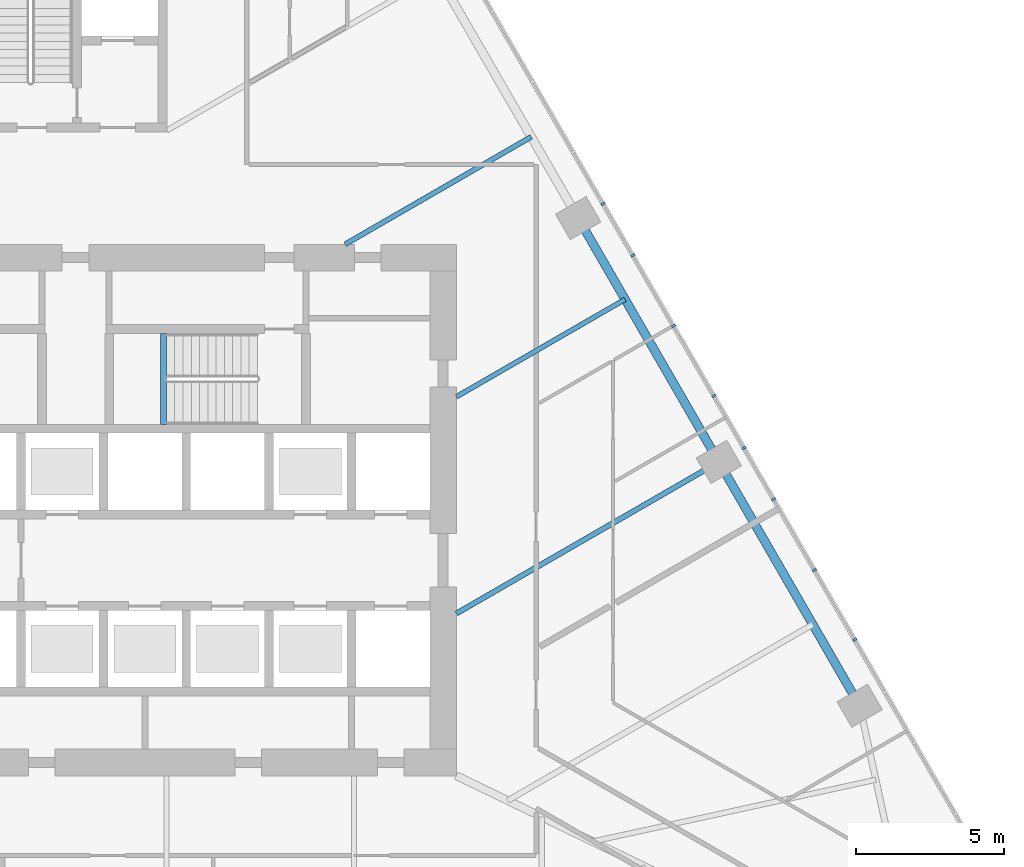
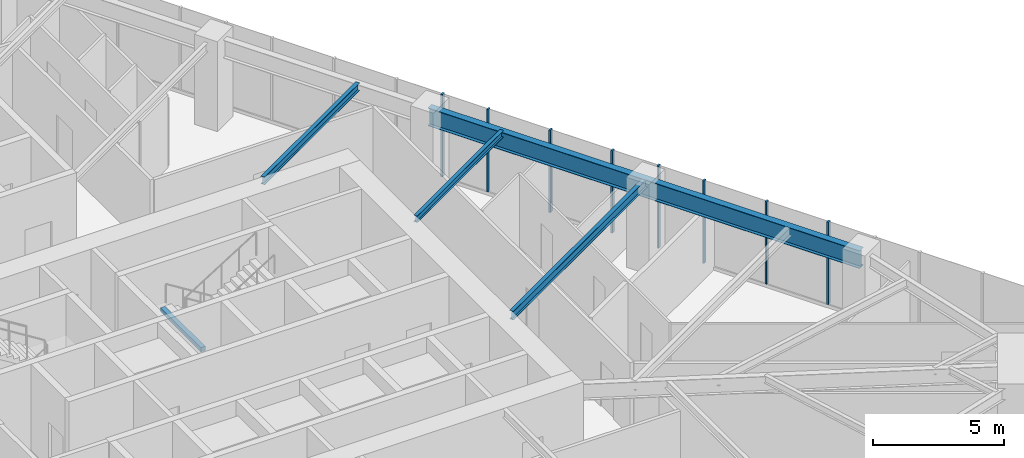
# One storey, part 8 of 25: 8 members, 5 beams, 1 element without a shape of its own.
"""IFC4 building model written with IfcOpenShell, lengths in metres."""

from ifc_helpers import new_model, si_unit, direction, frame, origin, origin_2d, place, context, subcontext, project, spatial, rectangle, i_section, extrude, material, layer, layer_set, material_profile, profile_set, type_object, element, aggregate, save


model = new_model("IFC4")

# Units and contexts
model_context = context("Model", 3, precision=1e-05, world=origin(), true_north=direction((0.0, 1.0)))
body_context = subcontext(model_context, "Body", "Model", "MODEL_VIEW")
ifc_project = project(units=[si_unit("LENGTHUNIT", "METRE"), si_unit("AREAUNIT", "SQUARE_METRE"), si_unit("VOLUMEUNIT", "CUBIC_METRE"), si_unit("PLANEANGLEUNIT", "RADIAN"), si_unit("MASSUNIT", "GRAM", prefix="KILO")], contexts=[model_context])

# Site, building, storey
site_placement = place(None, origin())
site = spatial("IfcSite", under=ifc_project, at=site_placement, CompositionType="ELEMENT")
building_placement = place(site_placement, origin())
building = spatial("IfcBuilding", under=site, at=building_placement, Name="Firuza Gate Tower and Library", CompositionType="ELEMENT")
storey_placement = place(building_placement, frame((0.0, 0.0, 61.0)))
storey = spatial("IfcBuildingStorey", under=building, at=storey_placement, Name="L13", CompositionType="ELEMENT", Elevation=61.0)

# Curtain wall, members
ifc_material_1 = material(Name="Aluminium 6063-T6", Category="aluminium")
ifc_layer = layer(ifc_material_1, 0.14990234375)
ifc_layer_set = layer_set([ifc_layer], Name="Unitised curtain wall, offices")
curtain_wall_type = type_object("IfcCurtainWallType", Name="Unitised curtain wall, offices", PredefinedType="NOTDEFINED", material=ifc_layer_set)
curtain_wall_placement = place(storey_placement, origin())
curtain_wall = element("IfcCurtainWall", 1, at=curtain_wall_placement, inside=storey, type_object=curtain_wall_type, Name="CW1 L13 E face", PredefinedType="NOTDEFINED")
ifc_material_2 = material(Name="Aluminium 6063-T6", Category="aluminium")
ifc_material_profile_1 = material_profile(ifc_material_2, rectangle(XDim=0.14990234375, YDim=0.080078125, at=origin_2d()))
ifc_profile_set_1 = profile_set([ifc_material_profile_1], Name="Aluminium 6063-T6")
member_type = type_object("IfcMemberType", Name="Curtain wall mullion 80x150", PredefinedType="MULLION", material=ifc_profile_set_1)
member_1_placement = place(storey_placement, frame((100.12841796875, 72.96875, 0.14990234375), z_axis=(0.0, 0.0, 1.0), x_axis=(-0.866025403784, -0.5, 0.0)))
member_1 = element("IfcMember", 2, at=member_1_placement, type_object=member_type, Name="Mullion", PredefinedType="MULLION", context=body_context, shape_type="SweptSolid", body=[
    extrude(rectangle(XDim=0.14990234375, YDim=0.080078125, at=origin_2d()), origin(), (0.0, 0.0, 1.0), 3.85009765625),
])
member_2_placement = place(storey_placement, frame((97.740966796875, 77.103515625, 0.14990234375), z_axis=(0.0, 0.0, 1.0), x_axis=(-0.866025403784, -0.5, 0.0)))
member_2 = element("IfcMember", 3, at=member_2_placement, type_object=member_type, Name="Mullion", PredefinedType="MULLION", context=body_context, shape_type="SweptSolid", body=[
    extrude(rectangle(XDim=0.14990234375, YDim=0.080078125, at=origin_2d()), origin(), (0.0, 0.0, 1.0), 3.85009765625),
])
member_3_placement = place(storey_placement, frame((95.353759765625, 81.23828125, 0.14990234375), z_axis=(0.0, 0.0, 1.0), x_axis=(-0.866025403784, -0.5, 0.0)))
member_3 = element("IfcMember", 4, at=member_3_placement, type_object=member_type, Name="Mullion", PredefinedType="MULLION", context=body_context, shape_type="SweptSolid", body=[
    extrude(rectangle(XDim=0.14990234375, YDim=0.080078125, at=origin_2d()), origin(), (0.0, 0.0, 1.0), 3.85009765625),
])
member_4_placement = place(storey_placement, frame((92.966552734375, 85.373046875, 0.14990234375), z_axis=(0.0, 0.0, 1.0), x_axis=(-0.866025403784, -0.5, 0.0)))
member_4 = element("IfcMember", 5, at=member_4_placement, type_object=member_type, Name="Mullion", PredefinedType="MULLION", context=body_context, shape_type="SweptSolid", body=[
    extrude(rectangle(XDim=0.14990234375, YDim=0.080078125, at=origin_2d()), origin(), (0.0, 0.0, 1.0), 3.85009765625),
])
member_5_placement = place(storey_placement, frame((101.490478515625, 70.609375, 0.14990234375), z_axis=(0.0, 0.0, 1.0), x_axis=(-0.866025403784, -0.5, 0.0)))
member_5 = element("IfcMember", 6, at=member_5_placement, type_object=member_type, Name="Mullion", PredefinedType="MULLION", context=body_context, shape_type="SweptSolid", body=[
    extrude(rectangle(XDim=0.14990234375, YDim=0.080078125, at=origin_2d()), origin(), (0.0, 0.0, 1.0), 3.85009765625),
])
member_6_placement = place(storey_placement, frame((98.74462890625, 75.365478515625, 0.14990234375), z_axis=(0.0, 0.0, 1.0), x_axis=(-0.866025403784, -0.5, 0.0)))
member_6 = element("IfcMember", 7, at=member_6_placement, type_object=member_type, Name="Mullion", PredefinedType="MULLION", context=body_context, shape_type="SweptSolid", body=[
    extrude(rectangle(XDim=0.14990234375, YDim=0.080078125, at=origin_2d()), origin(), (0.0, 0.0, 1.0), 3.85009765625),
])
member_7_placement = place(storey_placement, frame((96.72314453125, 78.866455078125, 0.14990234375), z_axis=(0.0, 0.0, 1.0), x_axis=(-0.866025403784, -0.5, 0.0)))
member_7 = element("IfcMember", 8, at=member_7_placement, type_object=member_type, Name="Mullion", PredefinedType="MULLION", context=body_context, shape_type="SweptSolid", body=[
    extrude(rectangle(XDim=0.14990234375, YDim=0.080078125, at=origin_2d()), origin(), (0.0, 0.0, 1.0), 3.85009765625),
])
member_8_placement = place(storey_placement, frame((93.977294921875, 83.62255859375, 0.14990234375), z_axis=(0.0, 0.0, 1.0), x_axis=(-0.866025403784, -0.5, 0.0)))
member_8 = element("IfcMember", 9, at=member_8_placement, type_object=member_type, Name="Mullion", PredefinedType="MULLION", context=body_context, shape_type="SweptSolid", body=[
    extrude(rectangle(XDim=0.14990234375, YDim=0.080078125, at=origin_2d()), origin(), (0.0, 0.0, 1.0), 3.85009765625),
])
aggregate(curtain_wall, [member_1, member_2, member_3, member_4, member_5, member_6, member_7, member_8])

# Beams
ifc_material_3 = material(Name="Concrete C35/45", Category="concrete")
ifc_material_profile_2 = material_profile(ifc_material_3, rectangle(XDim=0.199951171875, YDim=0.199951171875, at=origin_2d()))
ifc_profile_set_2 = profile_set([ifc_material_profile_2], Name="Concrete C35/45")
beam_type_1 = type_object("IfcBeamType", Name="Stair landing bearer 200x200", PredefinedType="BEAM", material=ifc_profile_set_2)
beam_1_placement = place(storey_placement, frame((78.080078125, 80.97998046875, 1.800048828125), z_axis=(0.0, -1.0, 0.0), x_axis=(1.0, 0.0, 0.0)))
element("IfcBeam", 10, at=beam_1_placement, inside=storey, type_object=beam_type_1, Name="Landing bearer L13 stair 2", PredefinedType="BEAM", context=body_context, shape_type="SweptSolid", body=[
    extrude(rectangle(XDim=0.199951171875, YDim=0.199951171875, at=origin_2d()), origin(), (0.0, 0.0, 1.0), 3.080078125),
])
ifc_material_4 = material(Name="Steel S355", Category="steel")
ifc_material_profile_3 = material_profile(ifc_material_4, i_section(OverallWidth=0.1650390625, OverallDepth=0.31005859375, WebThickness=0.005859375, FlangeThickness=0.009765625, at=origin_2d()))
ifc_profile_set_3 = profile_set([ifc_material_profile_3], Name="Steel S355")
beam_type_2 = type_object("IfcBeamType", Name="W310x39 Floor beam", PredefinedType="JOIST", material=ifc_profile_set_3)
beam_2_placement = place(storey_placement, frame((93.71142578125, 82.13330078125, 3.844970703125), z_axis=(-0.866017904993, -0.500012988063, 0.0), x_axis=(0.500012988063, -0.866017904993, 0.0)))
element("IfcBeam", 11, at=beam_2_placement, inside=storey, type_object=beam_type_2, Name="Floor beam L13 s52", PredefinedType="JOIST", context=body_context, shape_type="SweptSolid", body=[
    extrude(i_section(OverallWidth=0.1650390625, OverallDepth=0.31005859375, WebThickness=0.005859375, FlangeThickness=0.009765625, at=origin_2d()), origin(), (0.0, 0.0, 1.0), 6.594970703125),
])
ifc_material_5 = material(Name="Steel S355", Category="steel")
ifc_material_profile_4 = material_profile(ifc_material_5, i_section(OverallWidth=0.1708984375, OverallDepth=0.35498046875, WebThickness=0.007080078125, FlangeThickness=0.01171875, at=origin_2d()))
ifc_profile_set_4 = profile_set([ifc_material_profile_4], Name="Steel S355")
beam_type_3 = type_object("IfcBeamType", Name="W360x51 Floor beam", PredefinedType="JOIST", material=ifc_profile_set_4)
beam_3_placement = place(storey_placement, frame((90.533203125, 87.637939453125, 3.822509765625), z_axis=(-0.866022978719, -0.500004200313, 0.0), x_axis=(0.500004200313, -0.866022978719, 0.0)))
element("IfcBeam", 12, at=beam_3_placement, inside=storey, type_object=beam_type_3, Name="Floor beam L13 s53", PredefinedType="JOIST", context=body_context, shape_type="SweptSolid", body=[
    extrude(i_section(OverallWidth=0.1708984375, OverallDepth=0.35498046875, WebThickness=0.007080078125, FlangeThickness=0.01171875, at=origin_2d()), origin(), (0.0, 0.0, 1.0), 7.27587890625),
])
ifc_material_6 = material(Name="Steel S355", Category="steel")
ifc_material_profile_5 = material_profile(ifc_material_6, i_section(OverallWidth=0.177978515625, OverallDepth=0.406982421875, WebThickness=0.0078125, FlangeThickness=0.0126953125, at=origin_2d()))
ifc_profile_set_5 = profile_set([ifc_material_profile_5], Name="Steel S355")
beam_type_4 = type_object("IfcBeamType", Name="W410x60 Floor beam", PredefinedType="JOIST", material=ifc_profile_set_5)
beam_4_placement = place(storey_placement, frame((96.889404296875, 76.62841796875, 3.79638671875), z_axis=(-0.866024380585, -0.50000177223, 0.0), x_axis=(0.50000177223, -0.866024380585, 0.0)))
element("IfcBeam", 13, at=beam_4_placement, inside=storey, type_object=beam_type_4, Name="Floor beam L13 s51", PredefinedType="JOIST", context=body_context, shape_type="SweptSolid", body=[
    extrude(i_section(OverallWidth=0.177978515625, OverallDepth=0.406982421875, WebThickness=0.0078125, FlangeThickness=0.0126953125, at=origin_2d()), origin(), (0.0, 0.0, 1.0), 10.2646484375),
])
ifc_material_7 = material(Name="Steel S355", Category="steel")
ifc_material_profile_6 = material_profile(ifc_material_7, i_section(OverallWidth=0.2919921875, OverallDepth=0.8349609375, WebThickness=0.013916015625, FlangeThickness=0.018798828125, at=origin_2d()))
ifc_profile_set_6 = profile_set([ifc_material_profile_6], Name="Steel S355")
beam_type_5 = type_object("IfcBeamType", Name="W840x176 Edge beam", PredefinedType="SPANDREL", material=ifc_profile_set_6)
beam_5_placement = place(storey_placement, frame((101.65673828125, 68.371337890625, 3.58251953125), z_axis=(-0.499998781384, 0.866026107351, 0.0), x_axis=(-0.866026107351, -0.499998781384, 0.0)))
element("IfcBeam", 14, at=beam_5_placement, inside=storey, type_object=beam_type_5, Name="Edge beam L13 e50", PredefinedType="SPANDREL", context=body_context, shape_type="SweptSolid", body=[
    extrude(i_section(OverallWidth=0.2919921875, OverallDepth=0.8349609375, WebThickness=0.013916015625, FlangeThickness=0.018798828125, at=origin_2d()), origin(), (0.0, 0.0, 1.0), 19.06884765625),
])

save(model, "model.ifc")
